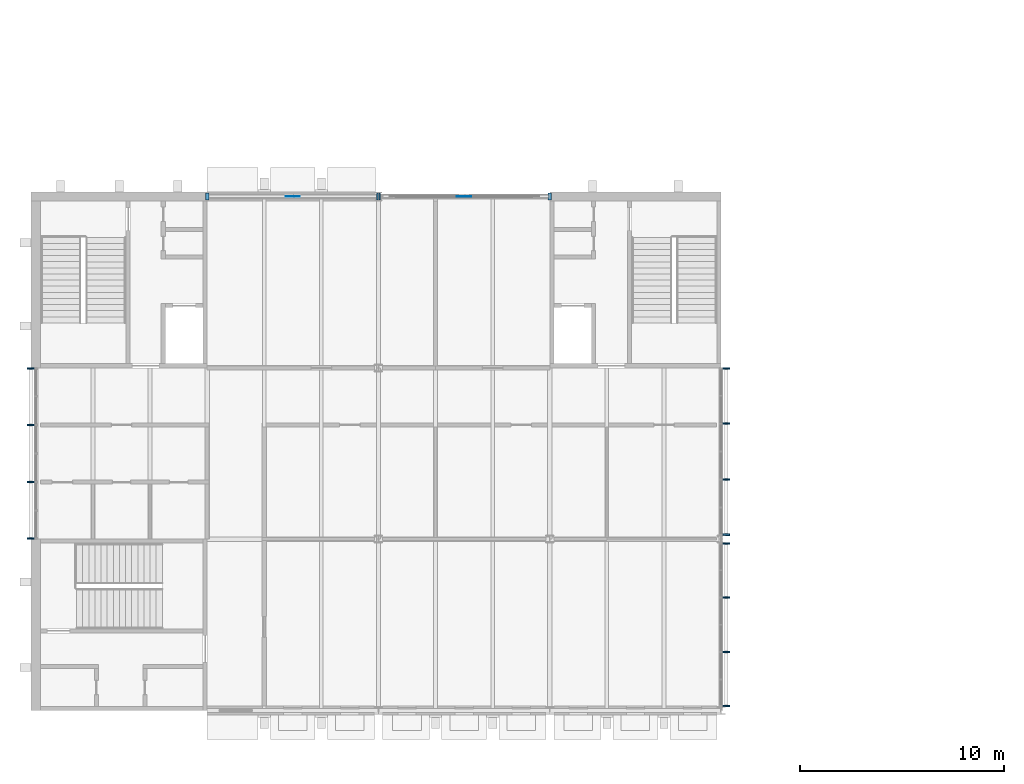
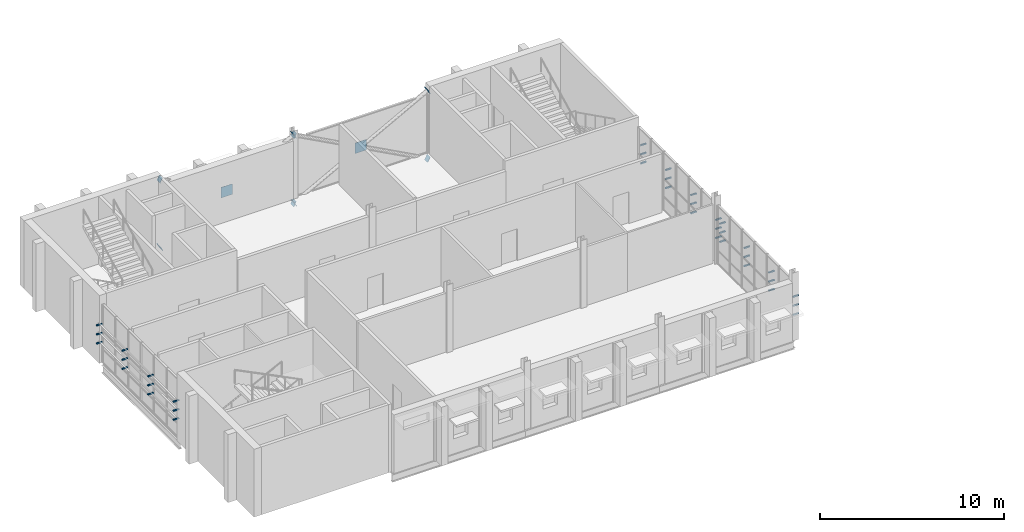
# One storey, part 19 of 22: 46 discrete accessories.
"""IFC4 building model written with IfcOpenShell, lengths in metres."""

from ifc_helpers import new_model, si_unit, direction, frame, origin, origin_2d, place, context, subcontext, project, spatial, rectangle, extrude, material, material_profile, profile_set, type_object, element, save


model = new_model("IFC4")

# Units and contexts
model_context = context("Model", 3, precision=1e-05, world=origin(), true_north=direction((0.0, 1.0)))
body_context = subcontext(model_context, "Body", "Model", "MODEL_VIEW")
ifc_project = project(units=[si_unit("LENGTHUNIT", "METRE"), si_unit("AREAUNIT", "SQUARE_METRE"), si_unit("VOLUMEUNIT", "CUBIC_METRE"), si_unit("PLANEANGLEUNIT", "RADIAN"), si_unit("MASSUNIT", "GRAM", prefix="KILO")], contexts=[model_context])

# Site, building, storey
site_placement = place(None, origin())
site = spatial("IfcSite", under=ifc_project, at=site_placement, CompositionType="ELEMENT")
building_placement = place(site_placement, origin())
building = spatial("IfcBuilding", under=site, at=building_placement, Name="Ardhachandra Cancer Care Centre", CompositionType="ELEMENT")
storey_placement = place(building_placement, frame((0.0, 0.0, 18.0)))
storey = spatial("IfcBuildingStorey", under=building, at=storey_placement, Name="L04", CompositionType="ELEMENT", Elevation=18.0)

# Discrete accessories
ifc_material_1 = material(Name="Steel E250 (IS 2062)", Category="steel")
ifc_material_profile_1 = material_profile(ifc_material_1, rectangle(XDim=0.344482421875, YDim=0.344482421875, at=origin_2d()), Name="PL 344x344x20")
ifc_profile_set_1 = profile_set([ifc_material_profile_1], Name="Steel E250 (IS 2062)")
discrete_accessory_type_1 = type_object("IfcDiscreteAccessoryType", Name="Brace end plate 344 x 344 x 20", PredefinedType="BRACKET", material=ifc_profile_set_1)
discrete_accessory_placement = place(storey_placement, frame((19.199951171875, 96.60009765625, -0.39990234375), z_axis=(0.884384752847, 0.0, 0.466758619558), x_axis=(0.0, 1.0, 0.0)))
element("IfcDiscreteAccessory", 1, at=discrete_accessory_placement, inside=storey, type_object=discrete_accessory_type_1, Name="Brace end plate V6-X966-192 L04 A0", PredefinedType="BRACKET", context=body_context, shape_type="SweptSolid", body=[
    extrude(rectangle(XDim=0.344482421875, YDim=0.344482421875, at=origin_2d()), origin(), (0.0, 0.0, 1.0), 0.019775390625),
])
for number, where, z_axis, x_axis, name in (
    (2, (27.60009765625, 96.60009765625, 4.117919921875), (-0.887017774073, 0.0, -0.461735279655), (0.0, -1.0, 0.0), "Brace end plate V6-X966-192 L04 A1"),
    (3, (27.60009765625, 96.60009765625, -0.39990234375), (-0.887017774073, 0.0, 0.461735279655), (0.0, -1.0, 0.0), "Brace end plate V6-X966-192 L04 B10"),
):
    element("IfcDiscreteAccessory", number, at=place(storey_placement, frame(where, z_axis=z_axis, x_axis=x_axis)), inside=storey, type_object=discrete_accessory_type_1, Name=name, PredefinedType="BRACKET", context=body_context, shape_type="SweptSolid", body=[
        extrude(rectangle(XDim=0.344482421875, YDim=0.344482421875, at=origin_2d()), origin(), (0.0, 0.0, 1.0), 0.02001953125),
    ])
for number, where, z_axis, x_axis, name in (
    (4, (19.199951171875, 96.60009765625, 4.117919921875), (0.884384752847, 0.0, -0.466758619558), (0.0, 1.0, 0.0), "Brace end plate V6-X966-192 L04 B21"),
    (5, (27.60009765625, 96.60009765625, -0.39990234375), (0.884384752847, 0.0, 0.466758619558), (0.0, 1.0, 0.0), "Brace end plate V6-X966-276 L04 A0"),
    (6, (36.0, 96.60009765625, 4.117919921875), (-0.884384752847, 0.0, -0.466758619558), (0.0, -1.0, 0.0), "Brace end plate V6-X966-276 L04 A1"),
    (7, (36.0, 96.60009765625, -0.39990234375), (-0.884384752847, 0.0, 0.466758619558), (0.0, -1.0, 0.0), "Brace end plate V6-X966-276 L04 B10"),
    (8, (27.60009765625, 96.60009765625, 4.117919921875), (0.884384752847, 0.0, -0.466758619558), (0.0, 1.0, 0.0), "Brace end plate V6-X966-276 L04 B21"),
):
    element("IfcDiscreteAccessory", number, at=place(storey_placement, frame(where, z_axis=z_axis, x_axis=x_axis)), inside=storey, type_object=discrete_accessory_type_1, Name=name, PredefinedType="BRACKET", context=body_context, shape_type="SweptSolid", body=[
        extrude(rectangle(XDim=0.344482421875, YDim=0.344482421875, at=origin_2d()), origin(), (0.0, 0.0, 1.0), 0.019775390625),
    ])
ifc_material_2 = material(Name="Steel E250 (IS 2062)", Category="steel")
ifc_material_profile_2 = material_profile(ifc_material_2, rectangle(XDim=0.699951171875, YDim=0.699951171875, at=origin_2d()), Name="PL 700x700x20")
ifc_profile_set_2 = profile_set([ifc_material_profile_2], Name="Steel E250 (IS 2062)")
discrete_accessory_type_2 = type_object("IfcDiscreteAccessoryType", Name="Brace node plate 700 x 700 x 20", PredefinedType="BRACKET", material=ifc_profile_set_2)
for number, where, z_axis, x_axis, name in (
    (9, (23.39990234375, 96.590087890625, 1.85888671875), (0.0, 1.0, 0.0), (-1.0, 0.0, 0.0), "Brace node plate V6-X966-192 L04"),
    (10, (31.800048828125, 96.590087890625, 1.85888671875), (0.0, 1.0, 0.0), (-1.0, 0.0, 0.0), "Brace node plate V6-X966-276 L04"),
):
    element("IfcDiscreteAccessory", number, at=place(storey_placement, frame(where, z_axis=z_axis, x_axis=x_axis)), inside=storey, type_object=discrete_accessory_type_2, Name=name, PredefinedType="BRACKET", context=body_context, shape_type="SweptSolid", body=[
        extrude(rectangle(XDim=0.699951171875, YDim=0.699951171875, at=origin_2d()), origin(), (0.0, 0.0, 1.0), 0.02001953125),
    ])
ifc_material_3 = material(Name="Galvanised flat steel (Steel E250 (IS 2062))", Category="steel")
discrete_accessory_type_3 = type_object("IfcDiscreteAccessoryType", Name="Louvre bracket 80 x 350", PredefinedType="BRACKET", material=ifc_material_3)
for number, where, z_axis, x_axis, name in (
    (11, (44.655029296875, 71.614013671875, 1.38427734375), (0.0, 0.0, 1.0), (0.0, 1.0, 0.0), "Louvre bracket L04/e/0044400_0071400 1.1"),
    (12, (44.655029296875, 74.26123046875, 1.38427734375), (0.0, 0.0, 1.0), (0.0, 1.0, 0.0), "Louvre bracket L04/e/0044400_0071400 1.2"),
    (13, (44.655029296875, 76.938720703125, 1.38427734375), (0.0, 0.0, 1.0), (0.0, 1.0, 0.0), "Louvre bracket L04/e/0044400_0071400 1.3"),
    (14, (44.655029296875, 79.5859375, 1.38427734375), (0.0, 0.0, 1.0), (0.0, 1.0, 0.0), "Louvre bracket L04/e/0044400_0071400 1.4"),
    (15, (44.655029296875, 71.614013671875, 1.984375), (0.0, 0.0, 1.0), (0.0, 1.0, 0.0), "Louvre bracket L04/e/0044400_0071400 2.1"),
    (16, (44.655029296875, 74.26123046875, 1.984375), (0.0, 0.0, 1.0), (0.0, 1.0, 0.0), "Louvre bracket L04/e/0044400_0071400 2.2"),
    (17, (44.655029296875, 76.938720703125, 1.984375), (0.0, 0.0, 1.0), (0.0, 1.0, 0.0), "Louvre bracket L04/e/0044400_0071400 2.3"),
    (18, (44.655029296875, 79.5859375, 1.984375), (0.0, 0.0, 1.0), (0.0, 1.0, 0.0), "Louvre bracket L04/e/0044400_0071400 2.4"),
    (19, (44.655029296875, 71.614013671875, 2.58447265625), (0.0, 0.0, 1.0), (0.0, 1.0, 0.0), "Louvre bracket L04/e/0044400_0071400 3.1"),
    (20, (44.655029296875, 74.26123046875, 2.58447265625), (0.0, 0.0, 1.0), (0.0, 1.0, 0.0), "Louvre bracket L04/e/0044400_0071400 3.2"),
    (21, (44.655029296875, 76.938720703125, 2.58447265625), (0.0, 0.0, 1.0), (0.0, 1.0, 0.0), "Louvre bracket L04/e/0044400_0071400 3.3"),
    (22, (44.655029296875, 79.5859375, 2.58447265625), (0.0, 0.0, 1.0), (0.0, 1.0, 0.0), "Louvre bracket L04/e/0044400_0071400 3.4"),
    (23, (44.655029296875, 80.013916015625, 1.38427734375), (0.0, 0.0, 1.0), (0.0, 1.0, 0.0), "Louvre bracket L04/e/0044400_0079800 1.1"),
    (24, (44.655029296875, 82.72265625, 1.38427734375), (0.0, 0.0, 1.0), (0.0, 1.0, 0.0), "Louvre bracket L04/e/0044400_0079800 1.2"),
    (25, (44.655029296875, 85.46142578125, 1.38427734375), (0.0, 0.0, 1.0), (0.0, 1.0, 0.0), "Louvre bracket L04/e/0044400_0079800 1.3"),
    (26, (44.655029296875, 88.169921875, 1.38427734375), (0.0, 0.0, 1.0), (0.0, 1.0, 0.0), "Louvre bracket L04/e/0044400_0079800 1.4"),
    (27, (44.655029296875, 80.013916015625, 1.984375), (0.0, 0.0, 1.0), (0.0, 1.0, 0.0), "Louvre bracket L04/e/0044400_0079800 2.1"),
    (28, (44.655029296875, 82.72265625, 1.984375), (0.0, 0.0, 1.0), (0.0, 1.0, 0.0), "Louvre bracket L04/e/0044400_0079800 2.2"),
    (29, (44.655029296875, 85.46142578125, 1.984375), (0.0, 0.0, 1.0), (0.0, 1.0, 0.0), "Louvre bracket L04/e/0044400_0079800 2.3"),
    (30, (44.655029296875, 88.169921875, 1.984375), (0.0, 0.0, 1.0), (0.0, 1.0, 0.0), "Louvre bracket L04/e/0044400_0079800 2.4"),
    (31, (44.655029296875, 80.013916015625, 2.58447265625), (0.0, 0.0, 1.0), (0.0, 1.0, 0.0), "Louvre bracket L04/e/0044400_0079800 3.1"),
    (32, (44.655029296875, 82.72265625, 2.58447265625), (0.0, 0.0, 1.0), (0.0, 1.0, 0.0), "Louvre bracket L04/e/0044400_0079800 3.2"),
    (33, (44.655029296875, 85.46142578125, 2.58447265625), (0.0, 0.0, 1.0), (0.0, 1.0, 0.0), "Louvre bracket L04/e/0044400_0079800 3.3"),
    (34, (44.655029296875, 88.169921875, 2.58447265625), (0.0, 0.0, 1.0), (0.0, 1.0, 0.0), "Louvre bracket L04/e/0044400_0079800 3.4"),
    (35, (10.544921875, 79.830078125, 1.38427734375), (0.0, 0.0, 1.0), (0.0, 1.0, 0.0), "Louvre bracket L04/w/0010800_0079800 1.1"),
    (36, (10.544921875, 82.60009765625, 1.38427734375), (0.0, 0.0, 1.0), (0.0, 1.0, 0.0), "Louvre bracket L04/w/0010800_0079800 1.2"),
    (37, (10.544921875, 85.39990234375, 1.38427734375), (0.0, 0.0, 1.0), (0.0, 1.0, 0.0), "Louvre bracket L04/w/0010800_0079800 1.3"),
    (38, (10.544921875, 88.169921875, 1.38427734375), (0.0, 0.0, 1.0), (0.0, 1.0, 0.0), "Louvre bracket L04/w/0010800_0079800 1.4"),
    (39, (10.544921875, 79.830078125, 1.984375), (0.0, 0.0, 1.0), (0.0, 1.0, 0.0), "Louvre bracket L04/w/0010800_0079800 2.1"),
    (40, (10.544921875, 82.60009765625, 1.984375), (0.0, 0.0, 1.0), (0.0, 1.0, 0.0), "Louvre bracket L04/w/0010800_0079800 2.2"),
    (41, (10.544921875, 85.39990234375, 1.984375), (0.0, 0.0, 1.0), (0.0, 1.0, 0.0), "Louvre bracket L04/w/0010800_0079800 2.3"),
    (42, (10.544921875, 88.169921875, 1.984375), (0.0, 0.0, 1.0), (0.0, 1.0, 0.0), "Louvre bracket L04/w/0010800_0079800 2.4"),
    (43, (10.544921875, 79.830078125, 2.58447265625), (0.0, 0.0, 1.0), (0.0, 1.0, 0.0), "Louvre bracket L04/w/0010800_0079800 3.1"),
    (44, (10.544921875, 82.60009765625, 2.58447265625), (0.0, 0.0, 1.0), (0.0, 1.0, 0.0), "Louvre bracket L04/w/0010800_0079800 3.2"),
    (45, (10.544921875, 85.39990234375, 2.58447265625), (0.0, 0.0, 1.0), (0.0, 1.0, 0.0), "Louvre bracket L04/w/0010800_0079800 3.3"),
    (46, (10.544921875, 88.169921875, 2.58447265625), (0.0, 0.0, 1.0), (0.0, 1.0, 0.0), "Louvre bracket L04/w/0010800_0079800 3.4"),
):
    element("IfcDiscreteAccessory", number, at=place(storey_placement, frame(where, z_axis=z_axis, x_axis=x_axis)), inside=storey, type_object=discrete_accessory_type_3, Name=name, PredefinedType="BRACKET", context=body_context, shape_type="SweptSolid", body=[
        extrude(rectangle(XDim=0.080078125, YDim=0.35009765625, at=origin_2d()), origin(), (0.0, 0.0, 1.0), 0.050048828125),
    ])

save(model, "model.ifc")
